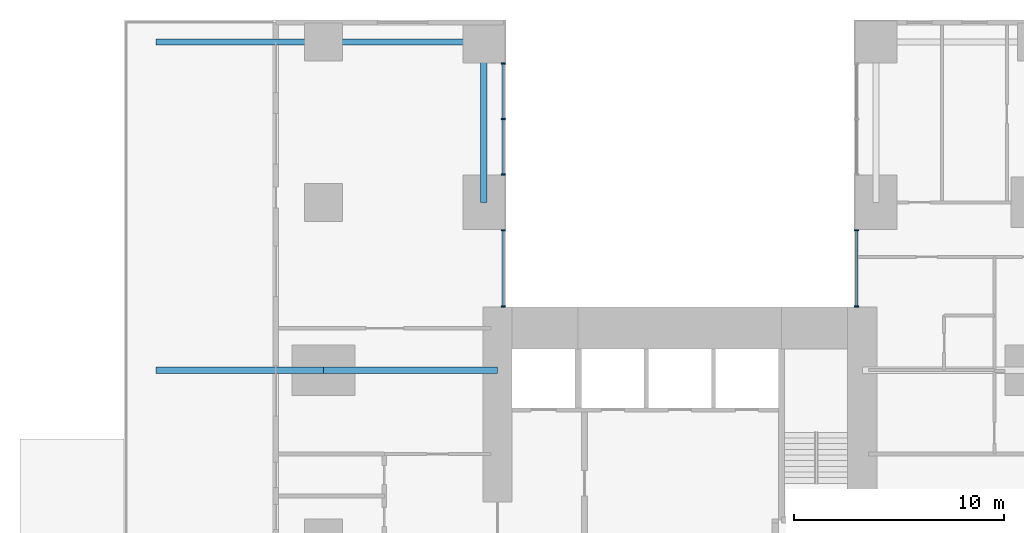
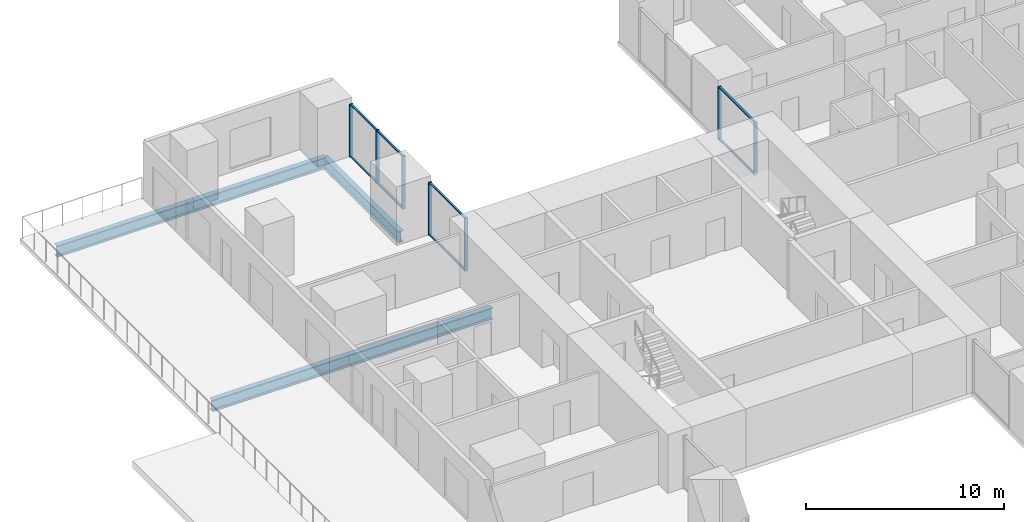
# One storey, part 4 of 15: 15 members, 5 beams, 3 elements without a shape of their own.
"""IFC4 building model written with IfcOpenShell, lengths in metres."""

from ifc_helpers import new_model, si_unit, direction, frame, origin, origin_2d, place, context, subcontext, project, spatial, rectangle, i_section, extrude, material, layer, layer_set, material_profile, profile_set, type_object, element, aggregate, save


model = new_model("IFC4")

# Units and contexts
model_context = context("Model", 3, precision=1e-05, world=origin(), true_north=direction((0.0, 1.0)))
body_context = subcontext(model_context, "Body", "Model", "MODEL_VIEW")
ifc_project = project(units=[si_unit("LENGTHUNIT", "METRE"), si_unit("AREAUNIT", "SQUARE_METRE"), si_unit("VOLUMEUNIT", "CUBIC_METRE"), si_unit("PLANEANGLEUNIT", "RADIAN"), si_unit("MASSUNIT", "GRAM", prefix="KILO")], contexts=[model_context])

# Site, building, storey
site_placement = place(None, origin())
site = spatial("IfcSite", under=ifc_project, at=site_placement, CompositionType="ELEMENT")
building_placement = place(site_placement, origin())
building = spatial("IfcBuilding", under=site, at=building_placement, Name="Cleftline Residences", CompositionType="ELEMENT")
storey_placement = place(building_placement, frame((0.0, 0.0, 221.800048828125)))
storey = spatial("IfcBuildingStorey", under=building, at=storey_placement, Name="L58", CompositionType="ELEMENT", Elevation=221.800048828125)

# Beams
ifc_material_1 = material(Name="Steel S355", Category="steel")
ifc_material_profile_1 = material_profile(ifc_material_1, i_section(OverallWidth=0.300048828125, OverallDepth=0.699951171875, WebThickness=0.01708984375, FlangeThickness=0.031982421875, FilletRadius=0.027099609375, at=origin_2d()))
ifc_profile_set_1 = profile_set([ifc_material_profile_1], Name="Steel S355")
beam_type_1 = type_object("IfcBeamType", Name="BEAM HEB 700", PredefinedType="BEAM", material=ifc_profile_set_1)
beam_1_placement = place(storey_placement, frame((8.0, 47.64990234375, -0.60009765625), z_axis=(1.0, 0.0, 0.0), x_axis=(0.0, 1.0, 0.0)))
element("IfcBeam", 1, at=beam_1_placement, inside=storey, type_object=beam_type_1, Name="Edge beam", PredefinedType="BEAM", context=body_context, shape_type="SweptSolid", body=[
    extrude(i_section(OverallWidth=0.300048828125, OverallDepth=0.699951171875, WebThickness=0.01708984375, FlangeThickness=0.031982421875, FilletRadius=0.027099609375, at=origin_2d()), origin(), (0.0, 0.0, 1.0), 8.0),
])
for number, where, z_axis, x_axis, name in (
    (2, (16.0, 47.64990234375, -0.60009765625), (1.0, 0.0, 0.0), (0.0, 1.0, 0.0), "Edge beam"),
    (3, (23.64990234375, 47.64990234375, -0.60009765625), (0.0, -1.0, 0.0), (1.0, 0.0, 0.0), "Edge beam"),
):
    element("IfcBeam", number, at=place(storey_placement, frame(where, z_axis=z_axis, x_axis=x_axis)), inside=storey, type_object=beam_type_1, Name=name, PredefinedType="BEAM", context=body_context, shape_type="SweptSolid", body=[
        extrude(i_section(OverallWidth=0.300048828125, OverallDepth=0.699951171875, WebThickness=0.01708984375, FlangeThickness=0.031982421875, FilletRadius=0.027099609375, at=origin_2d()), origin(), (0.0, 0.0, 1.0), 7.64990234375),
    ])
ifc_material_2 = material(Name="Steel S355", Category="steel")
ifc_material_profile_2 = material_profile(ifc_material_2, i_section(OverallWidth=0.303955078125, OverallDepth=0.716064453125, WebThickness=0.02099609375, FlangeThickness=0.0400390625, FilletRadius=0.027099609375, at=origin_2d()))
ifc_profile_set_2 = profile_set([ifc_material_profile_2], Name="Steel S355")
beam_type_2 = type_object("IfcBeamType", Name="BEAM HEM 700", PredefinedType="BEAM", material=ifc_profile_set_2)
beam_2_placement = place(storey_placement, frame((8.0, 32.0, -0.608154296875), z_axis=(1.0, 0.0, 0.0), x_axis=(0.0, 1.0, 0.0)))
element("IfcBeam", 4, at=beam_2_placement, inside=storey, type_object=beam_type_2, Name="Band beam", PredefinedType="BEAM", context=body_context, shape_type="SweptSolid", body=[
    extrude(i_section(OverallWidth=0.303955078125, OverallDepth=0.716064453125, WebThickness=0.02099609375, FlangeThickness=0.0400390625, FilletRadius=0.027099609375, at=origin_2d()), origin(), (0.0, 0.0, 1.0), 8.0),
])
beam_3_placement = place(storey_placement, frame((16.0, 32.0, -0.608154296875), z_axis=(1.0, 0.0, 0.0), x_axis=(0.0, 1.0, 0.0)))
element("IfcBeam", 5, at=beam_3_placement, inside=storey, type_object=beam_type_2, Name="Band beam", PredefinedType="BEAM", context=body_context, shape_type="SweptSolid", body=[
    extrude(i_section(OverallWidth=0.303955078125, OverallDepth=0.716064453125, WebThickness=0.02099609375, FlangeThickness=0.0400390625, FilletRadius=0.027099609375, at=origin_2d()), origin(), (0.0, 0.0, 1.0), 8.300048828125),
])

# Curtain wall, members
ifc_material_3 = material(Name="Aluminium framed curtain wall", Category="aluminium")
ifc_layer = layer(ifc_material_3, 0.199951171875)
ifc_layer_set = layer_set([ifc_layer], Name="CW1 CLEFT GLAZING")
curtain_wall_type = type_object("IfcCurtainWallType", Name="CW1 CLEFT GLAZING", PredefinedType="NOTDEFINED", material=ifc_layer_set)
curtain_wall_1_placement = place(storey_placement, origin())
curtain_wall_1 = element("IfcCurtainWall", 6, at=curtain_wall_1_placement, inside=storey, type_object=curtain_wall_type, Name="Curtain wall CW1", PredefinedType="NOTDEFINED")
ifc_material_4 = material(Name="Aluminium mullion", Category="aluminium")
ifc_material_profile_3 = material_profile(ifc_material_4, rectangle(XDim=0.199951171875, YDim=0.06005859375, at=origin_2d()))
ifc_profile_set_3 = profile_set([ifc_material_profile_3], Name="Aluminium mullion")
member_type_1 = type_object("IfcMemberType", Name="CW1 MULLION", PredefinedType="MULLION", material=ifc_profile_set_3)
member_1_placement = place(storey_placement, frame((41.425048828125, 38.669921875, 0.0), z_axis=(0.0, 0.0, 1.0), x_axis=(1.0, 0.0, 0.0)))
member_1 = element("IfcMember", 7, at=member_1_placement, type_object=member_type_1, Name="CW1 mullion 1", PredefinedType="MULLION", context=body_context, shape_type="SweptSolid", body=[
    extrude(rectangle(XDim=0.199951171875, YDim=0.06005859375, at=origin_2d()), origin(), (0.0, 0.0, 1.0), 3.25),
])
member_2_placement = place(storey_placement, frame((41.425048828125, 35.030029296875, 0.0), z_axis=(0.0, 0.0, 1.0), x_axis=(1.0, 0.0, 0.0)))
member_2 = element("IfcMember", 8, at=member_2_placement, type_object=member_type_1, Name="CW1 mullion 2", PredefinedType="MULLION", context=body_context, shape_type="SweptSolid", body=[
    extrude(rectangle(XDim=0.199951171875, YDim=0.06005859375, at=origin_2d()), origin(), (0.0, 0.0, 1.0), 3.25),
])

curtain_wall_2_placement = place(storey_placement, origin())
curtain_wall_2 = element("IfcCurtainWall", 9, at=curtain_wall_2_placement, inside=storey, type_object=curtain_wall_type, Name="Curtain wall CW1", PredefinedType="NOTDEFINED")
member_3_placement = place(storey_placement, frame((24.574951171875, 35.030029296875, 0.0), z_axis=(0.0, 0.0, 1.0), x_axis=(-1.0, 0.0, 0.0)))
member_3 = element("IfcMember", 10, at=member_3_placement, type_object=member_type_1, Name="CW1 mullion 1", PredefinedType="MULLION", context=body_context, shape_type="SweptSolid", body=[
    extrude(rectangle(XDim=0.199951171875, YDim=0.06005859375, at=origin_2d()), origin(), (0.0, 0.0, 1.0), 3.25),
])
member_4_placement = place(storey_placement, frame((24.574951171875, 38.669921875, 0.0), z_axis=(0.0, 0.0, 1.0), x_axis=(-1.0, 0.0, 0.0)))
member_4 = element("IfcMember", 11, at=member_4_placement, type_object=member_type_1, Name="CW1 mullion 2", PredefinedType="MULLION", context=body_context, shape_type="SweptSolid", body=[
    extrude(rectangle(XDim=0.199951171875, YDim=0.06005859375, at=origin_2d()), origin(), (0.0, 0.0, 1.0), 3.25),
])

curtain_wall_3_placement = place(storey_placement, origin())
curtain_wall_3 = element("IfcCurtainWall", 12, at=curtain_wall_3_placement, inside=storey, type_object=curtain_wall_type, Name="Curtain wall CW1", PredefinedType="NOTDEFINED")
member_5_placement = place(storey_placement, frame((24.574951171875, 41.330078125, 0.0), z_axis=(0.0, 0.0, 1.0), x_axis=(-1.0, 0.0, 0.0)))
member_5 = element("IfcMember", 13, at=member_5_placement, type_object=member_type_1, Name="CW1 mullion 1", PredefinedType="MULLION", context=body_context, shape_type="SweptSolid", body=[
    extrude(rectangle(XDim=0.199951171875, YDim=0.06005859375, at=origin_2d()), origin(), (0.0, 0.0, 1.0), 3.25),
])
member_6_placement = place(storey_placement, frame((24.574951171875, 43.97509765625, 0.0), z_axis=(0.0, 0.0, 1.0), x_axis=(-1.0, 0.0, 0.0)))
member_6 = element("IfcMember", 14, at=member_6_placement, type_object=member_type_1, Name="CW1 mullion 2", PredefinedType="MULLION", context=body_context, shape_type="SweptSolid", body=[
    extrude(rectangle(XDim=0.199951171875, YDim=0.06005859375, at=origin_2d()), origin(), (0.0, 0.0, 1.0), 3.25),
])
member_7_placement = place(storey_placement, frame((24.574951171875, 46.6201171875, 0.0), z_axis=(0.0, 0.0, 1.0), x_axis=(-1.0, 0.0, 0.0)))
member_7 = element("IfcMember", 15, at=member_7_placement, type_object=member_type_1, Name="CW1 mullion 3", PredefinedType="MULLION", context=body_context, shape_type="SweptSolid", body=[
    extrude(rectangle(XDim=0.199951171875, YDim=0.06005859375, at=origin_2d()), origin(), (0.0, 0.0, 1.0), 3.25),
])

# Member
ifc_material_5 = material(Name="Aluminium transom", Category="aluminium")
ifc_material_profile_4 = material_profile(ifc_material_5, rectangle(XDim=0.1201171875, YDim=0.06005859375, at=origin_2d()))
ifc_profile_set_4 = profile_set([ifc_material_profile_4], Name="Aluminium transom")
member_type_2 = type_object("IfcMemberType", Name="CW1 TRANSOM", PredefinedType="USERDEFINED", material=ifc_profile_set_4)
member_8_placement = place(storey_placement, frame((41.425048828125, 38.639892578125, 0.030029296875), z_axis=(0.0, -1.0, 0.0), x_axis=(1.0, 0.0, 0.0)))
member_8 = element("IfcMember", 16, at=member_8_placement, type_object=member_type_2, Name="CW1 transom 1.1", ObjectType="TRANSOM", PredefinedType="USERDEFINED", context=body_context, shape_type="SweptSolid", body=[
    extrude(rectangle(XDim=0.1201171875, YDim=0.06005859375, at=origin_2d()), origin(), (0.0, 0.0, 1.0), 3.579833984375),
])

member_9_placement = place(storey_placement, frame((41.425048828125, 38.639892578125, 3.219970703125), z_axis=(0.0, -1.0, 0.0), x_axis=(1.0, 0.0, 0.0)))
member_9 = element("IfcMember", 17, at=member_9_placement, type_object=member_type_2, Name="CW1 transom 1.2", ObjectType="TRANSOM", PredefinedType="USERDEFINED", context=body_context, shape_type="SweptSolid", body=[
    extrude(rectangle(XDim=0.1201171875, YDim=0.06005859375, at=origin_2d()), origin(), (0.0, 0.0, 1.0), 3.579833984375),
])

aggregate(curtain_wall_1, [member_1, member_2, member_8, member_9])

member_10_placement = place(storey_placement, frame((24.574951171875, 35.06005859375, 0.030029296875), z_axis=(0.0, 1.0, 0.0), x_axis=(-1.0, 0.0, 0.0)))
member_10 = element("IfcMember", 18, at=member_10_placement, type_object=member_type_2, Name="CW1 transom 1.1", ObjectType="TRANSOM", PredefinedType="USERDEFINED", context=body_context, shape_type="SweptSolid", body=[
    extrude(rectangle(XDim=0.1201171875, YDim=0.06005859375, at=origin_2d()), origin(), (0.0, 0.0, 1.0), 3.579833984375),
])

member_11_placement = place(storey_placement, frame((24.574951171875, 35.06005859375, 3.219970703125), z_axis=(0.0, 1.0, 0.0), x_axis=(-1.0, 0.0, 0.0)))
member_11 = element("IfcMember", 19, at=member_11_placement, type_object=member_type_2, Name="CW1 transom 1.2", ObjectType="TRANSOM", PredefinedType="USERDEFINED", context=body_context, shape_type="SweptSolid", body=[
    extrude(rectangle(XDim=0.1201171875, YDim=0.06005859375, at=origin_2d()), origin(), (0.0, 0.0, 1.0), 3.579833984375),
])

aggregate(curtain_wall_2, [member_3, member_4, member_10, member_11])

member_12_placement = place(storey_placement, frame((24.574951171875, 41.360107421875, 0.030029296875), z_axis=(0.0, 1.0, 0.0), x_axis=(-1.0, 0.0, 0.0)))
member_12 = element("IfcMember", 20, at=member_12_placement, type_object=member_type_2, Name="CW1 transom 1.1", ObjectType="TRANSOM", PredefinedType="USERDEFINED", context=body_context, shape_type="SweptSolid", body=[
    extrude(rectangle(XDim=0.1201171875, YDim=0.06005859375, at=origin_2d()), origin(), (0.0, 0.0, 1.0), 2.5849609375),
])

member_13_placement = place(storey_placement, frame((24.574951171875, 41.360107421875, 3.219970703125), z_axis=(0.0, 1.0, 0.0), x_axis=(-1.0, 0.0, 0.0)))
member_13 = element("IfcMember", 21, at=member_13_placement, type_object=member_type_2, Name="CW1 transom 1.2", ObjectType="TRANSOM", PredefinedType="USERDEFINED", context=body_context, shape_type="SweptSolid", body=[
    extrude(rectangle(XDim=0.1201171875, YDim=0.06005859375, at=origin_2d()), origin(), (0.0, 0.0, 1.0), 2.5849609375),
])

member_14_placement = place(storey_placement, frame((24.574951171875, 44.0048828125, 0.030029296875), z_axis=(0.0, 1.0, 0.0), x_axis=(-1.0, 0.0, 0.0)))
member_14 = element("IfcMember", 22, at=member_14_placement, type_object=member_type_2, Name="CW1 transom 2.1", ObjectType="TRANSOM", PredefinedType="USERDEFINED", context=body_context, shape_type="SweptSolid", body=[
    extrude(rectangle(XDim=0.1201171875, YDim=0.06005859375, at=origin_2d()), origin(), (0.0, 0.0, 1.0), 2.585205078125),
])

member_15_placement = place(storey_placement, frame((24.574951171875, 44.0048828125, 3.219970703125), z_axis=(0.0, 1.0, 0.0), x_axis=(-1.0, 0.0, 0.0)))
member_15 = element("IfcMember", 23, at=member_15_placement, type_object=member_type_2, Name="CW1 transom 2.2", ObjectType="TRANSOM", PredefinedType="USERDEFINED", context=body_context, shape_type="SweptSolid", body=[
    extrude(rectangle(XDim=0.1201171875, YDim=0.06005859375, at=origin_2d()), origin(), (0.0, 0.0, 1.0), 2.585205078125),
])

aggregate(curtain_wall_3, [member_5, member_6, member_7, member_12, member_13, member_14, member_15])

save(model, "model.ifc")
